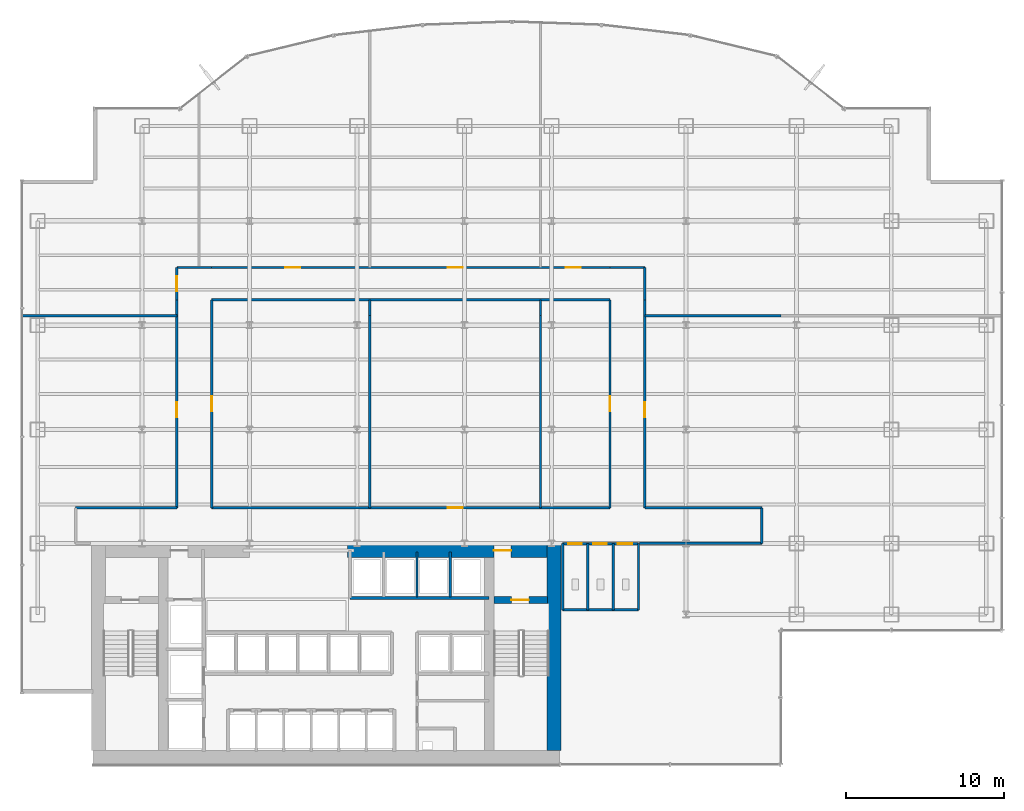
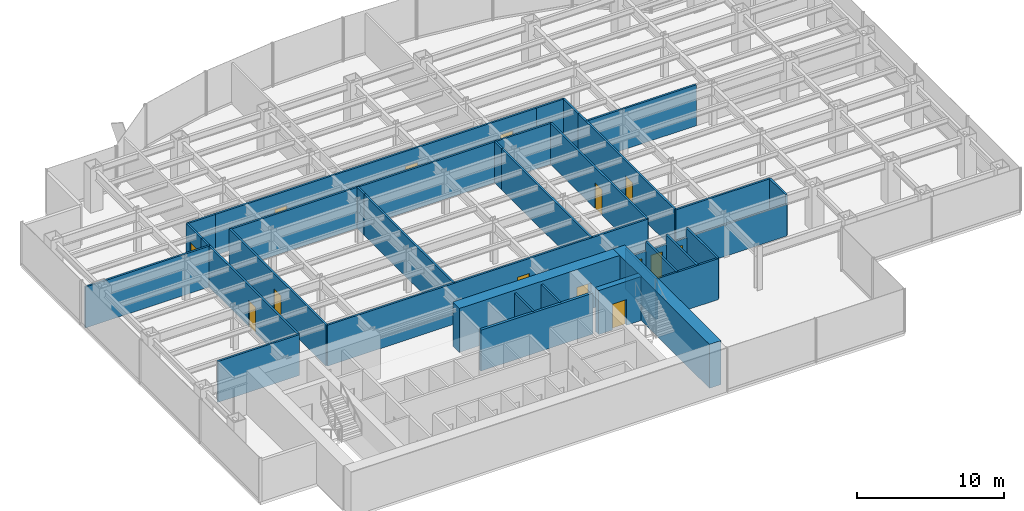
# One storey, part 19 of 23: 33 walls, 14 doors, 14 openings.
"""IFC4 building model written with IfcOpenShell, lengths in metres."""

from ifc_helpers import new_model, si_unit, derived_unit, direction, frame, frame_2d, origin, place, context, subcontext, project, spatial, rectangle, extrude, source, transform, mapped, material, layer, layer_set, type_object, element, fill, save


model = new_model("IFC4")

# Units and contexts
model_context = context("Model", 3, precision=1e-05, world=origin(), true_north=direction((0.0, 1.0)))
body_context = subcontext(model_context, "Body", "Model", "MODEL_VIEW")
ifc_project = project(units=[si_unit("LENGTHUNIT", "METRE"), si_unit("AREAUNIT", "SQUARE_METRE"), si_unit("VOLUMEUNIT", "CUBIC_METRE"), si_unit("PLANEANGLEUNIT", "RADIAN"), si_unit("MASSUNIT", "GRAM", prefix="KILO"), derived_unit("THERMALTRANSMITTANCEUNIT", [(si_unit("POWERUNIT", "WATT"), 1), (si_unit("LENGTHUNIT", "METRE"), -2), (si_unit("THERMODYNAMICTEMPERATUREUNIT", "KELVIN"), -1)])], contexts=[model_context])

# Site, building, storey
site_placement = place(None, origin())
site = spatial("IfcSite", under=ifc_project, at=site_placement, CompositionType="ELEMENT")
building_placement = place(site_placement, origin())
building = spatial("IfcBuilding", under=site, at=building_placement, Name="Skarnbrae Concourse Arena and Tower", CompositionType="ELEMENT")
storey_placement = place(building_placement, frame((0.0, 0.0, 54.39990234375)))
storey = spatial("IfcBuildingStorey", under=building, at=storey_placement, Name="L12", CompositionType="ELEMENT", Elevation=54.39990234375)

# Wall
ifc_material_1 = material(Name="Concrete 70 MPa (C70/85)", Category="concrete")
ifc_layer_1 = layer(ifc_material_1, 0.89990234375)
ifc_layer_set_1 = layer_set([ifc_layer_1], Name="Concrete 70 MPa (C70/85)")
wall_type_1 = type_object("IfcWallType", Name="WALL-CORE-900-C70", PredefinedType="SHEAR", material=ifc_layer_set_1)
shared_shape_1 = source(origin(), body_context, "Body", "SweptSolid", [
    extrude(rectangle(XDim=13.10009765625, YDim=0.89990234375, at=frame_2d((6.550048828125, 0.0))), origin(), (0.0, 0.0, 1.0), 3.650146484375),
])
wall_1_placement = place(storey_placement, frame((33.64990234375, 0.89990234375, 0.0), z_axis=(0.0, 0.0, 1.0), x_axis=(0.0, 1.0, 0.0)))
element("IfcWall", 1, at=wall_1_placement, inside=storey, type_object=wall_type_1, Name="L12 Rear core shear wall CW-E", PredefinedType="SHEAR", context=body_context, shape_type="MappedRepresentation", body=[
    mapped(shared_shape_1, transform((0.0, 0.0, 0.0))),
])

# Wall, opening, door
shared_shape_2 = source(origin(), body_context, "Body", "SweptSolid", [
    extrude(rectangle(XDim=12.599853515625, YDim=0.89990234375, at=frame_2d((6.2998046875, 0.0))), origin(), (0.0, 0.0, 1.0), 3.650146484375),
])
wall_2_placement = place(storey_placement, frame((20.60009765625, 13.550048828125, 0.0), z_axis=(0.0, 0.0, 1.0), x_axis=(1.0, 0.0, 0.0)))
wall_2 = element("IfcWall", 2, at=wall_2_placement, inside=storey, type_object=wall_type_1, Name="L12 Rear core shear wall CW-NE", PredefinedType="SHEAR", context=body_context, shape_type="MappedRepresentation", body=[
    mapped(shared_shape_2, transform((0.0, 0.0, 0.0))),
])
opening_1_placement = place(wall_2_placement, frame((9.25, 0.0, 0.0)))
opening_1 = element("IfcOpeningElement", 3, at=opening_1_placement, cuts=wall_2, Name="Opening DT-03", PredefinedType="OPENING", context=body_context, shape_type="SweptSolid", body=[
    extrude(rectangle(XDim=1.10009765625, YDim=2.14990234375, at=frame_2d((0.550048828125, 1.074951171875))), frame((0.0, 0.4599609375, 0.0), z_axis=(0.0, -1.0, 0.0), x_axis=(1.0, 0.0, 0.0)), (0.0, 0.0, 1.0), 0.919921875),
])
ifc_material_2 = material(Name="Steel CSA G40.21 350W", Category="steel")
door_type_1 = type_object("IfcDoorType", Name="DOOR-FIRE-1100-90M", OperationType="NOTDEFINED", PredefinedType="DOOR", material=ifc_material_2)
shared_shape_3 = source(origin(), body_context, "Body", "SweptSolid", [
    extrude(rectangle(XDim=1.10009765625, YDim=2.14990234375, at=frame_2d((0.550048828125, 1.074951171875))), frame((0.0, 0.02490234375, 0.0), z_axis=(0.0, -1.0, 0.0), x_axis=(1.0, 0.0, 0.0)), (0.0, 0.0, 1.0), 0.050048828125),
])
door_1_placement = place(opening_1_placement, origin())
door_1 = element("IfcDoor", 4, at=door_1_placement, inside=storey, type_object=door_type_1, Name="D-0497 Stair ST-2 Vestibule Door", OperationType="SINGLE_SWING_LEFT", OverallHeight=2.14990234375, OverallWidth=1.10009765625, PredefinedType="DOOR", context=body_context, shape_type="MappedRepresentation", body=[
    mapped(shared_shape_3, transform((0.0, 0.0, 0.0))),
])
fill(opening_1, door_1)

ifc_material_3 = material(Name="Concrete 50 MPa (C50/60)", Category="concrete")
ifc_layer_2 = layer(ifc_material_3, 0.449951171875)
ifc_layer_set_2 = layer_set([ifc_layer_2], Name="Concrete 50 MPa (C50/60)")
wall_type_2 = type_object("IfcWallType", Name="WALL-CORE-450-C50", PredefinedType="SHEAR", material=ifc_layer_set_2)
shared_shape_4 = source(origin(), body_context, "Body", "SweptSolid", [
    extrude(rectangle(XDim=3.389892578125, YDim=0.449951171875, at=frame_2d((1.69482421875, 0.0))), origin(), (0.0, 0.0, 1.0), 3.650146484375),
])
wall_3_placement = place(storey_placement, frame((29.860107421875, 10.419921875, 0.0), z_axis=(0.0, 0.0, 1.0), x_axis=(1.0, 0.0, 0.0)))
wall_3 = element("IfcWall", 5, at=wall_3_placement, inside=storey, type_object=wall_type_2, Name="L12 Rear core shear wall CW-ST2-N", PredefinedType="SHEAR", context=body_context, shape_type="MappedRepresentation", body=[
    mapped(shared_shape_4, transform((0.0, 0.0, 0.0))),
])
opening_2_placement = place(wall_3_placement, frame((1.10009765625, 0.0, 0.0)))
opening_2 = element("IfcOpeningElement", 6, at=opening_2_placement, cuts=wall_3, Name="Opening DT-03", PredefinedType="OPENING", context=body_context, shape_type="SweptSolid", body=[
    extrude(rectangle(XDim=1.10009765625, YDim=2.14990234375, at=frame_2d((0.550048828125, 1.074951171875))), frame((0.0, 0.23486328125, 0.0), z_axis=(0.0, -1.0, 0.0), x_axis=(1.0, 0.0, 0.0)), (0.0, 0.0, 1.0), 0.469970703125),
])
door_2_placement = place(opening_2_placement, frame((1.10009765625, 0.0, 0.0), z_axis=(0.0, 0.0, 1.0), x_axis=(-1.0, 0.0, 0.0)))
door_2 = element("IfcDoor", 7, at=door_2_placement, inside=storey, type_object=door_type_1, Name="D-0495 Stair ST-2 Door", OperationType="SINGLE_SWING_RIGHT", OverallHeight=2.14990234375, OverallWidth=1.10009765625, PredefinedType="DOOR", context=body_context, shape_type="MappedRepresentation", body=[
    mapped(shared_shape_3, transform((0.0, 0.0, 0.0))),
])
fill(opening_2, door_2)

# Wall, openings, doors
ifc_material_4 = material(Name="Gypsum board on cold-formed steel studs", Category="steel")
ifc_layer_3 = layer(ifc_material_4, 0.14990234375)
ifc_layer_set_3 = layer_set([ifc_layer_3], Name="Gypsum board on cold-formed steel studs")
wall_type_3 = type_object("IfcWallType", Name="WALL-PART-150", PredefinedType="PARTITIONING", material=ifc_layer_set_3)
shared_shape_5 = source(origin(), body_context, "Body", "SweptSolid", [
    extrude(rectangle(XDim=4.800048828125, YDim=0.14990234375, at=frame_2d((2.39990234375, 0.0))), origin(), (0.0, 0.0, 1.0), 2.625),
])
wall_4_placement = place(storey_placement, frame((34.199951171875, 13.97998046875, 0.0), z_axis=(0.0, 0.0, 1.0), x_axis=(1.0, 0.0, 0.0)))
wall_4 = element("IfcWall", 8, at=wall_4_placement, inside=storey, type_object=wall_type_3, Name="L12 Interior partition wall W-L12-WC-N", PredefinedType="PARTITIONING", context=body_context, shape_type="MappedRepresentation", body=[
    mapped(shared_shape_5, transform((0.0, 0.0, 0.0))),
])
opening_3_placement = place(wall_4_placement, frame((0.35009765625, 0.0, 0.0)))
opening_3 = element("IfcOpeningElement", 9, at=opening_3_placement, cuts=wall_4, Name="Opening DT-06", PredefinedType="OPENING", context=body_context, shape_type="SweptSolid", body=[
    extrude(rectangle(XDim=0.85009765625, YDim=2.10009765625, at=frame_2d((0.425048828125, 1.050048828125))), frame((0.0, 0.0849609375, 0.0), z_axis=(0.0, -1.0, 0.0), x_axis=(1.0, 0.0, 0.0)), (0.0, 0.0, 1.0), 0.169921875),
])
opening_4_placement = place(wall_4_placement, frame((1.949951171875, 0.0, 0.0)))
opening_4 = element("IfcOpeningElement", 10, at=opening_4_placement, cuts=wall_4, Name="Opening DT-06", PredefinedType="OPENING", context=body_context, shape_type="SweptSolid", body=[
    extrude(rectangle(XDim=0.85009765625, YDim=2.10009765625, at=frame_2d((0.425048828125, 1.050048828125))), frame((0.0, 0.0849609375, 0.0), z_axis=(0.0, -1.0, 0.0), x_axis=(1.0, 0.0, 0.0)), (0.0, 0.0, 1.0), 0.169921875),
])
opening_5_placement = place(wall_4_placement, frame((3.5, 0.0, 0.0)))
opening_5 = element("IfcOpeningElement", 11, at=opening_5_placement, cuts=wall_4, Name="Opening DT-05", PredefinedType="OPENING", context=body_context, shape_type="SweptSolid", body=[
    extrude(rectangle(XDim=0.89990234375, YDim=2.10009765625, at=frame_2d((0.449951171875, 1.050048828125))), frame((0.0, 0.0849609375, 0.0), z_axis=(0.0, -1.0, 0.0), x_axis=(1.0, 0.0, 0.0)), (0.0, 0.0, 1.0), 0.169921875),
])
ifc_material_5 = material(Name="Architectural oak veneer timber leaf", Category="wood")
door_type_2 = type_object("IfcDoorType", Name="DOOR-INT-850", OperationType="NOTDEFINED", PredefinedType="DOOR", material=ifc_material_5)
shared_shape_6 = source(origin(), body_context, "Body", "SweptSolid", [
    extrude(rectangle(XDim=0.85009765625, YDim=2.10009765625, at=frame_2d((0.425048828125, 1.050048828125))), frame((0.0, 0.02490234375, 0.0), z_axis=(0.0, -1.0, 0.0), x_axis=(1.0, 0.0, 0.0)), (0.0, 0.0, 1.0), 0.050048828125),
])
door_3_placement = place(opening_3_placement, frame((0.85009765625, 0.0, 0.0), z_axis=(0.0, 0.0, 1.0), x_axis=(-1.0, 0.0, 0.0)))
door_3 = element("IfcDoor", 12, at=door_3_placement, inside=storey, type_object=door_type_2, Name="D-0509 Male Washroom Door", OperationType="SINGLE_SWING_LEFT", OverallHeight=2.10009765625, OverallWidth=0.85009765625, PredefinedType="DOOR", context=body_context, shape_type="MappedRepresentation", body=[
    mapped(shared_shape_6, transform((0.0, 0.0, 0.0))),
])
fill(opening_3, door_3)
door_4_placement = place(opening_4_placement, frame((0.85009765625, 0.0, 0.0), z_axis=(0.0, 0.0, 1.0), x_axis=(-1.0, 0.0, 0.0)))
door_4 = element("IfcDoor", 13, at=door_4_placement, inside=storey, type_object=door_type_2, Name="D-0510 Female Washroom Door", OperationType="SINGLE_SWING_RIGHT", OverallHeight=2.10009765625, OverallWidth=0.85009765625, PredefinedType="DOOR", context=body_context, shape_type="MappedRepresentation", body=[
    mapped(shared_shape_6, transform((0.0, 0.0, 0.0))),
])
fill(opening_4, door_4)
door_type_3 = type_object("IfcDoorType", Name="DOOR-INT-900", OperationType="NOTDEFINED", PredefinedType="DOOR", material=ifc_material_5)
shared_shape_7 = source(origin(), body_context, "Body", "SweptSolid", [
    extrude(rectangle(XDim=0.89990234375, YDim=2.10009765625, at=frame_2d((0.449951171875, 1.050048828125))), frame((0.0, 0.02490234375, 0.0), z_axis=(0.0, -1.0, 0.0), x_axis=(1.0, 0.0, 0.0)), (0.0, 0.0, 1.0), 0.050048828125),
])
door_5_placement = place(opening_5_placement, frame((0.89990234375, 0.0, 0.0), z_axis=(0.0, 0.0, 1.0), x_axis=(-1.0, 0.0, 0.0)))
door_5 = element("IfcDoor", 14, at=door_5_placement, inside=storey, type_object=door_type_3, Name="D-0511 Accessible WC Door", OperationType="SINGLE_SWING_LEFT", OverallHeight=2.10009765625, OverallWidth=0.89990234375, PredefinedType="DOOR", context=body_context, shape_type="MappedRepresentation", body=[
    mapped(shared_shape_7, transform((0.0, 0.0, 0.0))),
])
fill(opening_5, door_5)

# Walls
ifc_layer_4 = layer(ifc_material_4, 0.14990234375)
ifc_layer_set_4 = layer_set([ifc_layer_4], Name="Gypsum board on cold-formed steel studs")
wall_type_4 = type_object("IfcWallType", Name="WALL-PART-150-1HR", PredefinedType="PARTITIONING", material=ifc_layer_set_4)
shared_shape_8 = source(origin(), body_context, "Body", "SweptSolid", [
    extrude(rectangle(XDim=7.75, YDim=0.14990234375, at=frame_2d((3.875, 0.0))), origin(), (0.0, 0.0, 1.0), 2.625),
])
wall_5_placement = place(storey_placement, frame((46.800048828125, 14.0, 0.0), z_axis=(0.0, 0.0, 1.0), x_axis=(-1.0, 0.0, 0.0)))
element("IfcWall", 15, at=wall_5_placement, inside=storey, type_object=wall_type_4, Name="L12 Interior partition wall W-L12-COR-13", PredefinedType="PARTITIONING", context=body_context, shape_type="MappedRepresentation", body=[
    mapped(shared_shape_8, transform((0.0, 0.0, 0.0))),
])
ifc_layer_5 = layer(ifc_material_4, 0.199951171875)
ifc_layer_set_5 = layer_set([ifc_layer_5], Name="Gypsum board on cold-formed steel studs")
wall_type_5 = type_object("IfcWallType", Name="WALL-PART-200-2HR", PredefinedType="PARTITIONING", material=ifc_layer_set_5)
shared_shape_9 = source(origin(), body_context, "Body", "SweptSolid", [
    extrude(rectangle(XDim=8.800048828125, YDim=0.199951171875, at=frame_2d((4.39990234375, 0.0))), origin(), (0.0, 0.0, 1.0), 3.400146484375),
])
wall_6_placement = place(storey_placement, frame((20.75, 10.550048828125, 0.0), z_axis=(0.0, 0.0, 1.0), x_axis=(1.0, 0.0, 0.0)))
element("IfcWall", 16, at=wall_6_placement, inside=storey, type_object=wall_type_5, Name="L12 Interior partition wall W-L12-B3N-S", PredefinedType="PARTITIONING", context=body_context, shape_type="MappedRepresentation", body=[
    mapped(shared_shape_9, transform((0.0, 0.0, 0.0))),
])
shared_shape_10 = source(origin(), body_context, "Body", "SweptSolid", [
    extrude(rectangle(XDim=2.849853515625, YDim=0.14990234375, at=frame_2d((1.4248046875, 0.0))), origin(), (0.0, 0.0, 1.0), 3.400146484375),
])
for number, where, z_axis, x_axis, name in (
    (17, (24.989990234375, 10.60009765625, 0.0), (0.0, 0.0, 1.0), (0.0, 1.0, 0.0), "L12 Interior partition wall W-L12-B3N-P2"),
    (18, (27.090087890625, 10.60009765625, 0.0), (0.0, 0.0, 1.0), (0.0, 1.0, 0.0), "L12 Interior partition wall W-L12-B3N-P3"),
):
    element("IfcWall", number, at=place(storey_placement, frame(where, z_axis=z_axis, x_axis=x_axis)), inside=storey, type_object=wall_type_3, Name=name, PredefinedType="PARTITIONING", context=body_context, shape_type="MappedRepresentation", body=[
        mapped(shared_shape_10, transform((0.0, 0.0, 0.0))),
    ])
shared_shape_11 = source(origin(), body_context, "Body", "SweptSolid", [
    extrude(rectangle(XDim=4.800048828125, YDim=0.14990234375, at=frame_2d((2.39990234375, 0.0))), origin(), (0.0, 0.0, 1.0), 3.400146484375),
])
wall_7_placement = place(storey_placement, frame((34.199951171875, 9.800048828125, 0.0), z_axis=(0.0, 0.0, 1.0), x_axis=(1.0, 0.0, 0.0)))
element("IfcWall", 19, at=wall_7_placement, inside=storey, type_object=wall_type_3, Name="L12 Interior partition wall W-L12-WC-S", PredefinedType="PARTITIONING", context=body_context, shape_type="MappedRepresentation", body=[
    mapped(shared_shape_11, transform((0.0, 0.0, 0.0))),
])
shared_shape_12 = source(origin(), body_context, "Body", "SweptSolid", [
    extrude(rectangle(XDim=4.179931640625, YDim=0.14990234375, at=frame_2d((2.08984375, 0.0))), origin(), (0.0, 0.0, 1.0), 3.400146484375),
])
for number, where, z_axis, x_axis, name in (
    (20, (39.0, 9.800048828125, 0.0), (0.0, 0.0, 1.0), (0.0, 1.0, 0.0), "L12 Interior partition wall W-L12-WC-E"),
    (21, (34.199951171875, 9.800048828125, 0.0), (0.0, 0.0, 1.0), (0.0, 1.0, 0.0), "L12 Interior partition wall W-L12-WC-W"),
    (22, (35.800048828125, 9.800048828125, 0.0), (0.0, 0.0, 1.0), (0.0, 1.0, 0.0), "L12 Interior partition wall W-L12-WC-D1"),
    (23, (37.39990234375, 9.800048828125, 0.0), (0.0, 0.0, 1.0), (0.0, 1.0, 0.0), "L12 Interior partition wall W-L12-WC-D2"),
):
    element("IfcWall", number, at=place(storey_placement, frame(where, z_axis=z_axis, x_axis=x_axis)), inside=storey, type_object=wall_type_3, Name=name, PredefinedType="PARTITIONING", context=body_context, shape_type="MappedRepresentation", body=[
        mapped(shared_shape_12, transform((0.0, 0.0, 0.0))),
    ])
shared_shape_13 = source(origin(), body_context, "Body", "SweptSolid", [
    extrude(rectangle(XDim=2.25, YDim=0.14990234375, at=frame_2d((1.125, 0.0))), origin(), (0.0, 0.0, 1.0), 3.400146484375),
])
wall_8_placement = place(storey_placement, frame((46.800048828125, 16.25, 0.0), z_axis=(0.0, 0.0, 1.0), x_axis=(0.0, -1.0, 0.0)))
element("IfcWall", 24, at=wall_8_placement, inside=storey, type_object=wall_type_4, Name="L12 Interior partition wall W-L12-COR-12", PredefinedType="PARTITIONING", context=body_context, shape_type="MappedRepresentation", body=[
    mapped(shared_shape_13, transform((0.0, 0.0, 0.0))),
])
shared_shape_14 = source(origin(), body_context, "Body", "SweptSolid", [
    extrude(rectangle(XDim=6.400146484375, YDim=0.14990234375, at=frame_2d((3.2001953125, 0.0))), origin(), (0.0, 0.0, 1.0), 3.400146484375),
])
wall_9_placement = place(storey_placement, frame((3.39990234375, 16.25, 0.0), z_axis=(0.0, 0.0, 1.0), x_axis=(1.0, 0.0, 0.0)))
element("IfcWall", 25, at=wall_9_placement, inside=storey, type_object=wall_type_4, Name="L12 Interior partition wall W-L12-COR-03", PredefinedType="PARTITIONING", context=body_context, shape_type="MappedRepresentation", body=[
    mapped(shared_shape_14, transform((0.0, 0.0, 0.0))),
])

# Wall, opening, door
shared_shape_15 = source(origin(), body_context, "Body", "SweptSolid", [
    extrude(rectangle(XDim=13.14990234375, YDim=0.14990234375, at=frame_2d((6.574951171875, 0.0))), origin(), (0.0, 0.0, 1.0), 3.400146484375),
])
wall_10_placement = place(storey_placement, frame((9.800048828125, 16.25, 0.0), z_axis=(0.0, 0.0, 1.0), x_axis=(0.0, 1.0, 0.0)))
wall_10 = element("IfcWall", 26, at=wall_10_placement, inside=storey, type_object=wall_type_4, Name="L12 Interior partition wall W-L12-COR-04", PredefinedType="PARTITIONING", context=body_context, shape_type="MappedRepresentation", body=[
    mapped(shared_shape_15, transform((0.0, 0.0, 0.0))),
])
opening_6_placement = place(wall_10_placement, frame((5.72998046875, 0.0, 0.0)))
opening_6 = element("IfcOpeningElement", 27, at=opening_6_placement, cuts=wall_10, Name="Opening DT-04", PredefinedType="OPENING", context=body_context, shape_type="SweptSolid", body=[
    extrude(rectangle(XDim=0.949951171875, YDim=2.14990234375, at=frame_2d((0.47509765625, 1.074951171875))), frame((0.0, 0.0849609375, 0.0), z_axis=(0.0, -1.0, 0.0), x_axis=(1.0, 0.0, 0.0)), (0.0, 0.0, 1.0), 0.169921875),
])
door_type_4 = type_object("IfcDoorType", Name="DOOR-INT-950-45M", OperationType="NOTDEFINED", PredefinedType="DOOR", material=ifc_material_2)
shared_shape_16 = source(origin(), body_context, "Body", "SweptSolid", [
    extrude(rectangle(XDim=0.949951171875, YDim=2.14990234375, at=frame_2d((0.47509765625, 1.074951171875))), frame((0.0, 0.02490234375, 0.0), z_axis=(0.0, -1.0, 0.0), x_axis=(1.0, 0.0, 0.0)), (0.0, 0.0, 1.0), 0.050048828125),
])
door_6_placement = place(opening_6_placement, origin())
door_6 = element("IfcDoor", 28, at=door_6_placement, inside=storey, type_object=door_type_4, Name="D-0512 L12 Suite Door 01", OperationType="SINGLE_SWING_LEFT", OverallHeight=2.14990234375, OverallWidth=0.949951171875, PredefinedType="DOOR", context=body_context, shape_type="MappedRepresentation", body=[
    mapped(shared_shape_16, transform((0.0, 0.0, 0.0))),
])
fill(opening_6, door_6)

wall_11_placement = place(storey_placement, frame((39.39990234375, 29.39990234375, 0.0), z_axis=(0.0, 0.0, 1.0), x_axis=(0.0, -1.0, 0.0)))
wall_11 = element("IfcWall", 29, at=wall_11_placement, inside=storey, type_object=wall_type_4, Name="L12 Interior partition wall W-L12-COR-10", PredefinedType="PARTITIONING", context=body_context, shape_type="MappedRepresentation", body=[
    mapped(shared_shape_15, transform((0.0, 0.0, 0.0))),
])
opening_7_placement = place(wall_11_placement, frame((6.469970703125, 0.0, 0.0)))
opening_7 = element("IfcOpeningElement", 30, at=opening_7_placement, cuts=wall_11, Name="Opening DT-04", PredefinedType="OPENING", context=body_context, shape_type="SweptSolid", body=[
    extrude(rectangle(XDim=0.949951171875, YDim=2.14990234375, at=frame_2d((0.47509765625, 1.074951171875))), frame((0.0, 0.0849609375, 0.0), z_axis=(0.0, -1.0, 0.0), x_axis=(1.0, 0.0, 0.0)), (0.0, 0.0, 1.0), 0.169921875),
])
door_7_placement = place(opening_7_placement, origin())
door_7 = element("IfcDoor", 31, at=door_7_placement, inside=storey, type_object=door_type_4, Name="D-0520 L12 Suite Door 09", OperationType="SINGLE_SWING_LEFT", OverallHeight=2.14990234375, OverallWidth=0.949951171875, PredefinedType="DOOR", context=body_context, shape_type="MappedRepresentation", body=[
    mapped(shared_shape_16, transform((0.0, 0.0, 0.0))),
])
fill(opening_7, door_7)

wall_12_placement = place(storey_placement, frame((37.199951171875, 16.25, 0.0), z_axis=(0.0, 0.0, 1.0), x_axis=(0.0, 1.0, 0.0)))
wall_12 = element("IfcWall", 32, at=wall_12_placement, inside=storey, type_object=wall_type_4, Name="L12 Interior partition wall W-L12-COR-15", PredefinedType="PARTITIONING", context=body_context, shape_type="MappedRepresentation", body=[
    mapped(shared_shape_15, transform((0.0, 0.0, 0.0))),
])
opening_8_placement = place(wall_12_placement, frame((6.10009765625, 0.0, 0.0)))
opening_8 = element("IfcOpeningElement", 33, at=opening_8_placement, cuts=wall_12, Name="Opening DT-04", PredefinedType="OPENING", context=body_context, shape_type="SweptSolid", body=[
    extrude(rectangle(XDim=0.949951171875, YDim=2.14990234375, at=frame_2d((0.47509765625, 1.074951171875))), frame((0.0, 0.0849609375, 0.0), z_axis=(0.0, -1.0, 0.0), x_axis=(1.0, 0.0, 0.0)), (0.0, 0.0, 1.0), 0.169921875),
])
door_8_placement = place(opening_8_placement, origin())
door_8 = element("IfcDoor", 34, at=door_8_placement, inside=storey, type_object=door_type_4, Name="D-0518 L12 Suite Door 07", OperationType="SINGLE_SWING_LEFT", OverallHeight=2.14990234375, OverallWidth=0.949951171875, PredefinedType="DOOR", context=body_context, shape_type="MappedRepresentation", body=[
    mapped(shared_shape_16, transform((0.0, 0.0, 0.0))),
])
fill(opening_8, door_8)

wall_13_placement = place(storey_placement, frame((12.0, 29.39990234375, 0.0), z_axis=(0.0, 0.0, 1.0), x_axis=(0.0, -1.0, 0.0)))
wall_13 = element("IfcWall", 35, at=wall_13_placement, inside=storey, type_object=wall_type_4, Name="L12 Interior partition wall W-L12-COR-17", PredefinedType="PARTITIONING", context=body_context, shape_type="MappedRepresentation", body=[
    mapped(shared_shape_15, transform((0.0, 0.0, 0.0))),
])
opening_9_placement = place(wall_13_placement, frame((6.10009765625, 0.0, 0.0)))
opening_9 = element("IfcOpeningElement", 36, at=opening_9_placement, cuts=wall_13, Name="Opening DT-04", PredefinedType="OPENING", context=body_context, shape_type="SweptSolid", body=[
    extrude(rectangle(XDim=0.949951171875, YDim=2.14990234375, at=frame_2d((0.47509765625, 1.074951171875))), frame((0.0, 0.0849609375, 0.0), z_axis=(0.0, -1.0, 0.0), x_axis=(1.0, 0.0, 0.0)), (0.0, 0.0, 1.0), 0.169921875),
])
door_9_placement = place(opening_9_placement, origin())
door_9 = element("IfcDoor", 37, at=door_9_placement, inside=storey, type_object=door_type_4, Name="D-0515 L12 Suite Door 04", OperationType="SINGLE_SWING_RIGHT", OverallHeight=2.14990234375, OverallWidth=0.949951171875, PredefinedType="DOOR", context=body_context, shape_type="MappedRepresentation", body=[
    mapped(shared_shape_16, transform((0.0, 0.0, 0.0))),
])
fill(opening_9, door_9)

shared_shape_17 = source(origin(), body_context, "Body", "SweptSolid", [
    extrude(rectangle(XDim=2.050048828125, YDim=0.14990234375, at=frame_2d((1.02490234375, 0.0))), origin(), (0.0, 0.0, 1.0), 3.400146484375),
])
wall_14_placement = place(storey_placement, frame((9.800048828125, 29.39990234375, 0.0), z_axis=(0.0, 0.0, 1.0), x_axis=(0.0, 1.0, 0.0)))
wall_14 = element("IfcWall", 38, at=wall_14_placement, inside=storey, type_object=wall_type_4, Name="L12 Interior partition wall W-L12-COR-05", PredefinedType="PARTITIONING", context=body_context, shape_type="MappedRepresentation", body=[
    mapped(shared_shape_17, transform((0.0, 0.0, 0.0))),
])
opening_10_placement = place(wall_14_placement, frame((0.550048828125, 0.0, 0.0)))
opening_10 = element("IfcOpeningElement", 39, at=opening_10_placement, cuts=wall_14, Name="Opening DT-04", PredefinedType="OPENING", context=body_context, shape_type="SweptSolid", body=[
    extrude(rectangle(XDim=0.949951171875, YDim=2.14990234375, at=frame_2d((0.47509765625, 1.074951171875))), frame((0.0, 0.0849609375, 0.0), z_axis=(0.0, -1.0, 0.0), x_axis=(1.0, 0.0, 0.0)), (0.0, 0.0, 1.0), 0.169921875),
])
door_10_placement = place(opening_10_placement, origin())
door_10 = element("IfcDoor", 40, at=door_10_placement, inside=storey, type_object=door_type_4, Name="D-0513 L12 Suite Door 02", OperationType="SINGLE_SWING_RIGHT", OverallHeight=2.14990234375, OverallWidth=0.949951171875, PredefinedType="DOOR", context=body_context, shape_type="MappedRepresentation", body=[
    mapped(shared_shape_16, transform((0.0, 0.0, 0.0))),
])
fill(opening_10, door_10)

# Walls
wall_15_placement = place(storey_placement, frame((39.39990234375, 31.449951171875, 0.0), z_axis=(0.0, 0.0, 1.0), x_axis=(0.0, -1.0, 0.0)))
element("IfcWall", 41, at=wall_15_placement, inside=storey, type_object=wall_type_4, Name="L12 Interior partition wall W-L12-COR-09", PredefinedType="PARTITIONING", context=body_context, shape_type="MappedRepresentation", body=[
    mapped(shared_shape_17, transform((0.0, 0.0, 0.0))),
])
shared_shape_18 = source(origin(), body_context, "Body", "SweptSolid", [
    extrude(rectangle(XDim=2.199951171875, YDim=0.14990234375, at=frame_2d((1.10009765625, 0.0))), origin(), (0.0, 0.0, 1.0), 3.400146484375),
])
for number, where, z_axis, x_axis, name in (
    (42, (9.800048828125, 31.449951171875, 0.0), (0.0, 0.0, 1.0), (1.0, 0.0, 0.0), "L12 Interior partition wall W-L12-COR-06"),
    (43, (37.199951171875, 31.449951171875, 0.0), (0.0, 0.0, 1.0), (1.0, 0.0, 0.0), "L12 Interior partition wall W-L12-COR-08"),
):
    element("IfcWall", number, at=place(storey_placement, frame(where, z_axis=z_axis, x_axis=x_axis)), inside=storey, type_object=wall_type_4, Name=name, PredefinedType="PARTITIONING", context=body_context, shape_type="MappedRepresentation", body=[
        mapped(shared_shape_18, transform((0.0, 0.0, 0.0))),
    ])

# Wall, openings, doors
shared_shape_19 = source(origin(), body_context, "Body", "SweptSolid", [
    extrude(rectangle(XDim=25.199951171875, YDim=0.14990234375, at=frame_2d((12.60009765625, 0.0))), origin(), (0.0, 0.0, 1.0), 3.400146484375),
])
wall_16_placement = place(storey_placement, frame((12.0, 31.449951171875, 0.0), z_axis=(0.0, 0.0, 1.0), x_axis=(1.0, 0.0, 0.0)))
wall_16 = element("IfcWall", 44, at=wall_16_placement, inside=storey, type_object=wall_type_4, Name="L12 Interior partition wall W-L12-COR-07", PredefinedType="PARTITIONING", context=body_context, shape_type="MappedRepresentation", body=[
    mapped(shared_shape_19, transform((0.0, 0.0, 0.0))),
])
opening_11_placement = place(wall_16_placement, frame((4.655029296875, 0.0, 0.0)))
opening_11 = element("IfcOpeningElement", 45, at=opening_11_placement, cuts=wall_16, Name="Opening DT-04", PredefinedType="OPENING", context=body_context, shape_type="SweptSolid", body=[
    extrude(rectangle(XDim=0.949951171875, YDim=2.14990234375, at=frame_2d((0.47509765625, 1.074951171875))), frame((0.0, 0.0849609375, 0.0), z_axis=(0.0, -1.0, 0.0), x_axis=(1.0, 0.0, 0.0)), (0.0, 0.0, 1.0), 0.169921875),
])
opening_12_placement = place(wall_16_placement, frame((14.925048828125, 0.0, 0.0)))
opening_12 = element("IfcOpeningElement", 46, at=opening_12_placement, cuts=wall_16, Name="Opening DT-04", PredefinedType="OPENING", context=body_context, shape_type="SweptSolid", body=[
    extrude(rectangle(XDim=0.949951171875, YDim=2.14990234375, at=frame_2d((0.47509765625, 1.074951171875))), frame((0.0, 0.0849609375, 0.0), z_axis=(0.0, -1.0, 0.0), x_axis=(1.0, 0.0, 0.0)), (0.0, 0.0, 1.0), 0.169921875),
])
opening_13_placement = place(wall_16_placement, frame((22.39501953125, 0.0, 0.0)))
opening_13 = element("IfcOpeningElement", 47, at=opening_13_placement, cuts=wall_16, Name="Opening DT-04", PredefinedType="OPENING", context=body_context, shape_type="SweptSolid", body=[
    extrude(rectangle(XDim=0.949951171875, YDim=2.14990234375, at=frame_2d((0.47509765625, 1.074951171875))), frame((0.0, 0.0849609375, 0.0), z_axis=(0.0, -1.0, 0.0), x_axis=(1.0, 0.0, 0.0)), (0.0, 0.0, 1.0), 0.169921875),
])
door_11_placement = place(opening_11_placement, origin())
door_11 = element("IfcDoor", 48, at=door_11_placement, inside=storey, type_object=door_type_4, Name="D-0514 L12 Suite Door 03", OperationType="SINGLE_SWING_LEFT", OverallHeight=2.14990234375, OverallWidth=0.949951171875, PredefinedType="DOOR", context=body_context, shape_type="MappedRepresentation", body=[
    mapped(shared_shape_16, transform((0.0, 0.0, 0.0))),
])
fill(opening_11, door_11)
door_12_placement = place(opening_12_placement, origin())
door_12 = element("IfcDoor", 49, at=door_12_placement, inside=storey, type_object=door_type_4, Name="D-0517 L12 Suite Door 06", OperationType="SINGLE_SWING_RIGHT", OverallHeight=2.14990234375, OverallWidth=0.949951171875, PredefinedType="DOOR", context=body_context, shape_type="MappedRepresentation", body=[
    mapped(shared_shape_16, transform((0.0, 0.0, 0.0))),
])
fill(opening_12, door_12)
door_13_placement = place(opening_13_placement, origin())
door_13 = element("IfcDoor", 50, at=door_13_placement, inside=storey, type_object=door_type_4, Name="D-0519 L12 Suite Door 08", OperationType="SINGLE_SWING_RIGHT", OverallHeight=2.14990234375, OverallWidth=0.949951171875, PredefinedType="DOOR", context=body_context, shape_type="MappedRepresentation", body=[
    mapped(shared_shape_16, transform((0.0, 0.0, 0.0))),
])
fill(opening_13, door_13)

# Wall, opening, door
wall_17_placement = place(storey_placement, frame((12.0, 16.25, 0.0), z_axis=(0.0, 0.0, 1.0), x_axis=(1.0, 0.0, 0.0)))
wall_17 = element("IfcWall", 51, at=wall_17_placement, inside=storey, type_object=wall_type_4, Name="L12 Interior partition wall W-L12-COR-14", PredefinedType="PARTITIONING", context=body_context, shape_type="MappedRepresentation", body=[
    mapped(shared_shape_19, transform((0.0, 0.0, 0.0))),
])
opening_14_placement = place(wall_17_placement, frame((14.925048828125, 0.0, 0.0)))
opening_14 = element("IfcOpeningElement", 52, at=opening_14_placement, cuts=wall_17, Name="Opening DT-04", PredefinedType="OPENING", context=body_context, shape_type="SweptSolid", body=[
    extrude(rectangle(XDim=0.949951171875, YDim=2.14990234375, at=frame_2d((0.47509765625, 1.074951171875))), frame((0.0, 0.0849609375, 0.0), z_axis=(0.0, -1.0, 0.0), x_axis=(1.0, 0.0, 0.0)), (0.0, 0.0, 1.0), 0.169921875),
])
door_14_placement = place(opening_14_placement, origin())
door_14 = element("IfcDoor", 53, at=door_14_placement, inside=storey, type_object=door_type_4, Name="D-0516 L12 Suite Door 05", OperationType="SINGLE_SWING_LEFT", OverallHeight=2.14990234375, OverallWidth=0.949951171875, PredefinedType="DOOR", context=body_context, shape_type="MappedRepresentation", body=[
    mapped(shared_shape_16, transform((0.0, 0.0, 0.0))),
])
fill(opening_14, door_14)

# Walls
wall_18_placement = place(storey_placement, frame((37.199951171875, 29.39990234375, 0.0), z_axis=(0.0, 0.0, 1.0), x_axis=(-1.0, 0.0, 0.0)))
element("IfcWall", 54, at=wall_18_placement, inside=storey, type_object=wall_type_4, Name="L12 Interior partition wall W-L12-COR-16", PredefinedType="PARTITIONING", context=body_context, shape_type="MappedRepresentation", body=[
    mapped(shared_shape_19, transform((0.0, 0.0, 0.0))),
])
shared_shape_20 = source(origin(), body_context, "Body", "SweptSolid", [
    extrude(rectangle(XDim=7.400146484375, YDim=0.14990234375, at=frame_2d((3.7001953125, 0.0))), origin(), (0.0, 0.0, 1.0), 3.400146484375),
])
wall_19_placement = place(storey_placement, frame((39.39990234375, 16.25, 0.0), z_axis=(0.0, 0.0, 1.0), x_axis=(1.0, 0.0, 0.0)))
element("IfcWall", 55, at=wall_19_placement, inside=storey, type_object=wall_type_4, Name="L12 Interior partition wall W-L12-COR-11", PredefinedType="PARTITIONING", context=body_context, shape_type="MappedRepresentation", body=[
    mapped(shared_shape_20, transform((0.0, 0.0, 0.0))),
])
shared_shape_21 = source(origin(), body_context, "Body", "SweptSolid", [
    extrude(rectangle(XDim=9.780029296875, YDim=0.14990234375, at=frame_2d((4.89013671875, 0.0))), origin(), (0.0, 0.0, 1.0), 3.400146484375),
])
wall_20_placement = place(storey_placement, frame((0.02001953125, 28.39990234375, 0.0), z_axis=(0.0, 0.0, 1.0), x_axis=(1.0, 0.0, 0.0)))
element("IfcWall", 56, at=wall_20_placement, inside=storey, type_object=wall_type_3, Name="L12 Interior partition wall W-L12-DEM-18", PredefinedType="PARTITIONING", context=body_context, shape_type="MappedRepresentation", body=[
    mapped(shared_shape_21, transform((0.0, 0.0, 0.0))),
])
shared_shape_22 = source(origin(), body_context, "Body", "SweptSolid", [
    extrude(rectangle(XDim=1.0, YDim=0.14990234375, at=frame_2d((0.5, 0.0))), origin(), (0.0, 0.0, 1.0), 3.400146484375),
])
for number, where, z_axis, x_axis, name in (
    (57, (22.0, 29.39990234375, 0.0), (0.0, 0.0, 1.0), (0.0, -1.0, 0.0), "L12 Interior partition wall W-L12-DEM-20"),
    (58, (32.800048828125, 29.39990234375, 0.0), (0.0, 0.0, 1.0), (0.0, -1.0, 0.0), "L12 Interior partition wall W-L12-DEM-23"),
):
    element("IfcWall", number, at=place(storey_placement, frame(where, z_axis=z_axis, x_axis=x_axis)), inside=storey, type_object=wall_type_3, Name=name, PredefinedType="PARTITIONING", context=body_context, shape_type="MappedRepresentation", body=[
        mapped(shared_shape_22, transform((0.0, 0.0, 0.0))),
    ])
shared_shape_23 = source(origin(), body_context, "Body", "SweptSolid", [
    extrude(rectangle(XDim=12.14990234375, YDim=0.14990234375, at=frame_2d((6.074951171875, 0.0))), origin(), (0.0, 0.0, 1.0), 3.400146484375),
])
for number, where, z_axis, x_axis, name in (
    (59, (22.0, 28.39990234375, 0.0), (0.0, 0.0, 1.0), (0.0, -1.0, 0.0), "L12 Interior partition wall W-L12-DEM-21"),
    (60, (32.800048828125, 28.39990234375, 0.0), (0.0, 0.0, 1.0), (0.0, -1.0, 0.0), "L12 Interior partition wall W-L12-DEM-24"),
):
    element("IfcWall", number, at=place(storey_placement, frame(where, z_axis=z_axis, x_axis=x_axis)), inside=storey, type_object=wall_type_3, Name=name, PredefinedType="PARTITIONING", context=body_context, shape_type="MappedRepresentation", body=[
        mapped(shared_shape_23, transform((0.0, 0.0, 0.0))),
    ])
shared_shape_24 = source(origin(), body_context, "Body", "SweptSolid", [
    extrude(rectangle(XDim=8.60009765625, YDim=0.14990234375, at=frame_2d((4.300048828125, 0.0))), origin(), (0.0, 0.0, 1.0), 3.400146484375),
])
wall_21_placement = place(storey_placement, frame((48.0, 28.39990234375, 0.0), z_axis=(0.0, 0.0, 1.0), x_axis=(-1.0, 0.0, 0.0)))
element("IfcWall", 61, at=wall_21_placement, inside=storey, type_object=wall_type_3, Name="L12 Interior partition wall W-L12-DEM-27", PredefinedType="PARTITIONING", context=body_context, shape_type="MappedRepresentation", body=[
    mapped(shared_shape_24, transform((0.0, 0.0, 0.0))),
])

save(model, "model.ifc")
